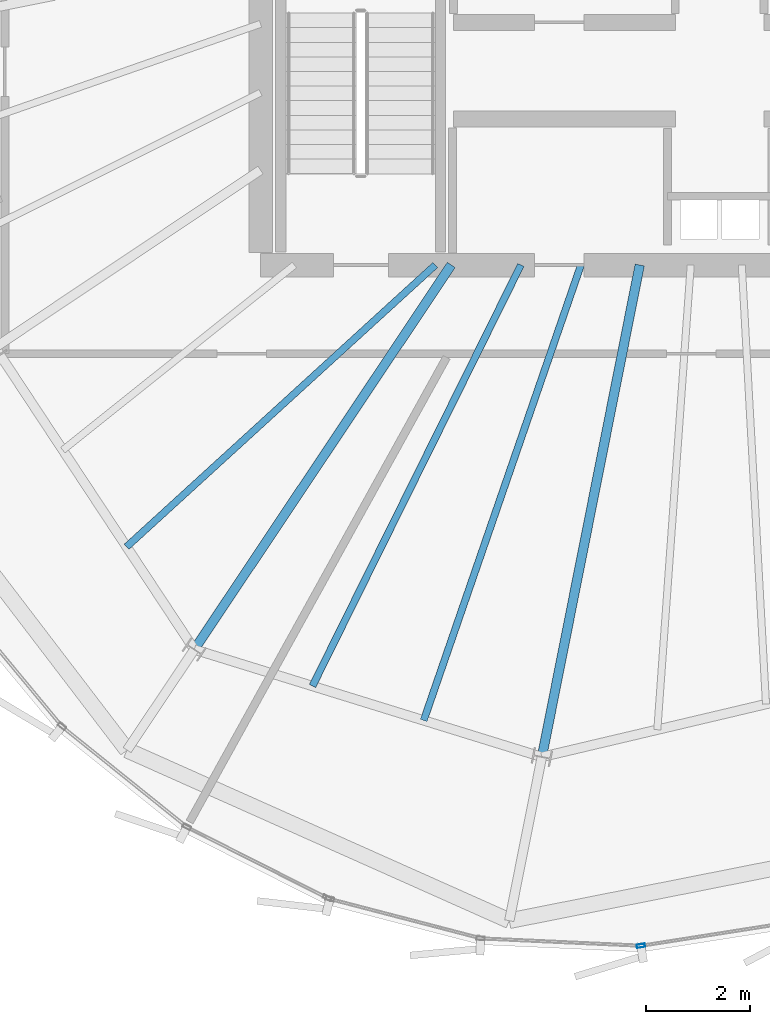
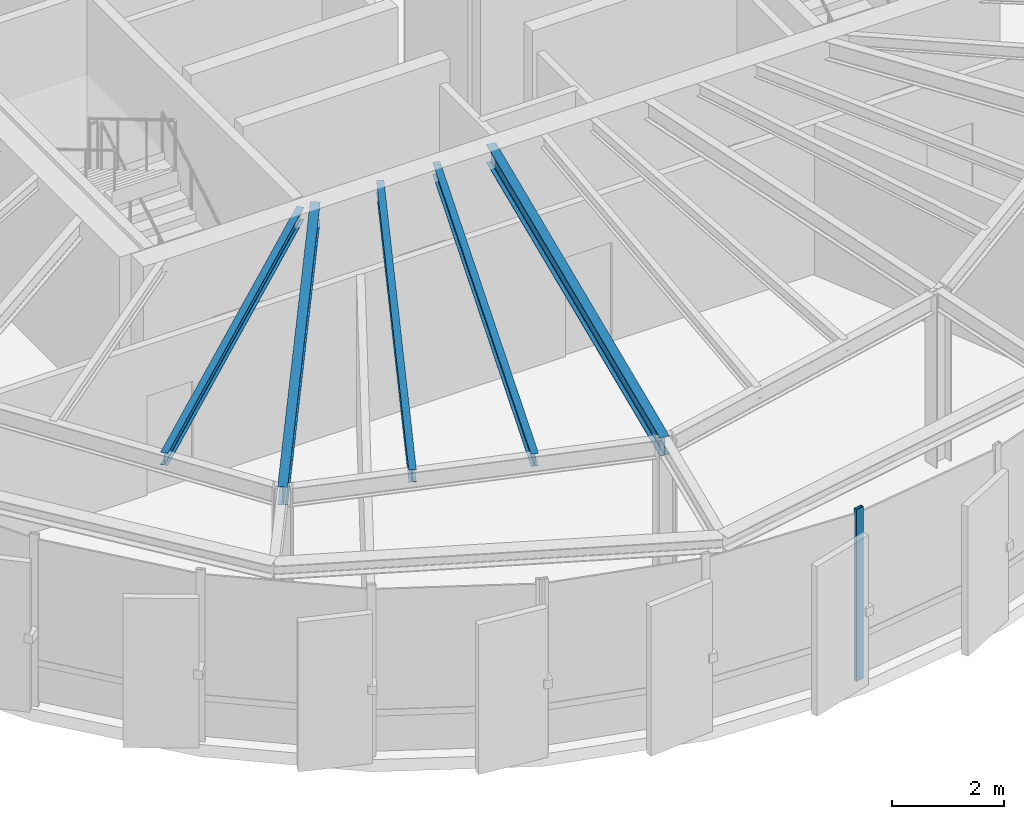
# One storey, part 5 of 27: 5 beams, 1 member, 1 element without a shape of its own.
"""IFC4 building model written with IfcOpenShell, lengths in metres."""

from ifc_helpers import new_model, si_unit, direction, frame, origin, origin_2d, place, context, subcontext, project, spatial, hollow_rectangle, i_section, extrude, source, transform, mapped, material, layer, layer_set, material_profile, profile_set, type_object, element, aggregate, save


model = new_model("IFC4")

# Units and contexts
model_context = context("Model", 3, precision=1e-05, world=origin(), true_north=direction((0.0, 1.0)))
body_context = subcontext(model_context, "Body", "Model", "MODEL_VIEW")
ifc_project = project(units=[si_unit("LENGTHUNIT", "METRE"), si_unit("AREAUNIT", "SQUARE_METRE"), si_unit("VOLUMEUNIT", "CUBIC_METRE"), si_unit("PLANEANGLEUNIT", "RADIAN"), si_unit("MASSUNIT", "GRAM", prefix="KILO"), si_unit("THERMODYNAMICTEMPERATUREUNIT", "KELVIN")], contexts=[model_context])

# Site, building, storey
site_placement = place(None, origin())
site = spatial("IfcSite", under=ifc_project, at=site_placement, CompositionType="ELEMENT")
building_placement = place(site_placement, origin())
building = spatial("IfcBuilding", under=site, at=building_placement, Name="Kethvar Cultural Tower", CompositionType="ELEMENT")
storey_placement = place(building_placement, frame((0.0, 0.0, 312.300048828125)))
storey = spatial("IfcBuildingStorey", under=building, at=storey_placement, Name="L83", CompositionType="ELEMENT", Elevation=312.300048828125)

# Beams
ifc_material_1 = material(Name="Steel S355J2", Category="steel")
ifc_material_profile_1 = material_profile(ifc_material_1, i_section(OverallWidth=0.135009765625, OverallDepth=0.27001953125, WebThickness=0.006591796875, FlangeThickness=0.01025390625, FilletRadius=0.014892578125, at=origin_2d()), Name="Steel S355J2 — IPE270")
ifc_profile_set_1 = profile_set([ifc_material_profile_1], Name="Steel S355J2 — IPE270")
beam_type_1 = type_object("IfcBeamType", Name="BM-J270", PredefinedType="JOIST", material=ifc_profile_set_1)
shared_shape_1 = source(origin(), body_context, "Body", "SweptSolid", [
    extrude(i_section(OverallWidth=0.135009765625, OverallDepth=0.27001953125, WebThickness=0.006591796875, FlangeThickness=0.01025390625, FilletRadius=0.014892578125, at=origin_2d()), origin(), (0.0, 0.0, 1.0), 8.010986328125),
])
beam_1_placement = place(storey_placement, frame((41.35009765625, 20.10009765625, 3.597900390625), z_axis=(-0.738614798856, -0.674127717061, 0.0), x_axis=(0.674127717061, -0.738614798856, 0.0)))
element("IfcBeam", 1, at=beam_1_placement, inside=storey, type_object=beam_type_1, Name="L83 Composite Floor Joist J-10B", PredefinedType="JOIST", context=body_context, shape_type="MappedRepresentation", body=[
    mapped(shared_shape_1, transform((0.0, 0.0, 0.0), scale=1.0)),
])
shared_shape_2 = source(origin(), body_context, "Body", "SweptSolid", [
    extrude(i_section(OverallWidth=0.135009765625, OverallDepth=0.27001953125, WebThickness=0.006591796875, FlangeThickness=0.01025390625, FilletRadius=0.014892578125, at=origin_2d()), origin(), (0.0, 0.0, 1.0), 9.00341796875),
])
beam_2_placement = place(storey_placement, frame((42.989501953125, 20.10009765625, 3.597900390625), z_axis=(-0.443543695319, -0.896252749141, 0.0), x_axis=(0.896252749141, -0.443543695319, 0.0)))
element("IfcBeam", 2, at=beam_2_placement, inside=storey, type_object=beam_type_1, Name="L83 Composite Floor Joist J-11A", PredefinedType="JOIST", context=body_context, shape_type="MappedRepresentation", body=[
    mapped(shared_shape_2, transform((0.0, 0.0, 0.0), scale=1.0)),
])
shared_shape_3 = source(origin(), body_context, "Body", "SweptSolid", [
    extrude(i_section(OverallWidth=0.135009765625, OverallDepth=0.27001953125, WebThickness=0.006591796875, FlangeThickness=0.01025390625, FilletRadius=0.014892578125, at=origin_2d()), origin(), (0.0, 0.0, 1.0), 9.234130859375),
])
beam_3_placement = place(storey_placement, frame((44.1416015625, 20.10009765625, 3.597900390625), z_axis=(-0.326362208058, -0.945244787953, 0.0), x_axis=(0.945244787953, -0.326362208058, 0.0)))
element("IfcBeam", 3, at=beam_3_placement, inside=storey, type_object=beam_type_1, Name="L83 Composite Floor Joist J-11B", PredefinedType="JOIST", context=body_context, shape_type="MappedRepresentation", body=[
    mapped(shared_shape_3, transform((0.0, 0.0, 0.0), scale=1.0)),
])
ifc_material_profile_2 = material_profile(ifc_material_1, i_section(OverallWidth=0.179931640625, OverallDepth=0.39990234375, WebThickness=0.008544921875, FlangeThickness=0.013427734375, FilletRadius=0.02099609375, at=origin_2d()), Name="Steel S355J2 — IPE400")
ifc_profile_set_2 = profile_set([ifc_material_profile_2], Name="Steel S355J2 — IPE400")
beam_type_2 = type_object("IfcBeamType", Name="BM-IPE400", PredefinedType="BEAM", material=ifc_profile_set_2)
shared_shape_4 = source(origin(), body_context, "Body", "SweptSolid", [
    extrude(i_section(OverallWidth=0.179931640625, OverallDepth=0.39990234375, WebThickness=0.008544921875, FlangeThickness=0.013427734375, FilletRadius=0.02099609375, at=origin_2d()), origin(), (0.0, 0.0, 1.0), 8.86279296875),
])
beam_4_placement = place(storey_placement, frame((41.655029296875, 20.10009765625, 3.532958984375), z_axis=(-0.555564443415, -0.831473480764, 0.0), x_axis=(0.831473480764, -0.555564443415, 0.0)))
element("IfcBeam", 4, at=beam_4_placement, inside=storey, type_object=beam_type_2, Name="L83 Primary Radial Beam RB-11", PredefinedType="BEAM", context=body_context, shape_type="MappedRepresentation", body=[
    mapped(shared_shape_4, transform((0.0, 0.0, 0.0), scale=1.0)),
])
shared_shape_5 = source(origin(), body_context, "Body", "SweptSolid", [
    extrude(i_section(OverallWidth=0.179931640625, OverallDepth=0.39990234375, WebThickness=0.008544921875, FlangeThickness=0.013427734375, FilletRadius=0.02099609375, at=origin_2d()), origin(), (0.0, 0.0, 1.0), 9.613525390625),
])
beam_5_placement = place(storey_placement, frame((45.268310546875, 20.10009765625, 3.532958984375), z_axis=(-0.195090428816, -0.980785259159, 0.0), x_axis=(0.980785259159, -0.195090428816, 0.0)))
element("IfcBeam", 5, at=beam_5_placement, inside=storey, type_object=beam_type_2, Name="L83 Primary Radial Beam RB-12", PredefinedType="BEAM", context=body_context, shape_type="MappedRepresentation", body=[
    mapped(shared_shape_5, transform((0.0, 0.0, 0.0), scale=1.0)),
])

# Curtain wall, member
ifc_material_2 = material(Name="Aluminium 6063-T6", Category="aluminium")
ifc_layer = layer(ifc_material_2, 0.179931640625, Name="Aluminium 6063-T6", Category="aluminium")
ifc_layer_set = layer_set([ifc_layer], Name="Aluminium 6063-T6 (180 mm)")
curtain_wall_type = type_object("IfcCurtainWallType", Name="CW-SYS-06-CROWN", PredefinedType="NOTDEFINED", material=ifc_layer_set)
curtain_wall_placement = place(storey_placement, origin())
curtain_wall = element("IfcCurtainWall", 6, at=curtain_wall_placement, inside=storey, type_object=curtain_wall_type, Name="L83 Curtain Wall Run 04", PredefinedType="NOTDEFINED")
ifc_material_profile_3 = material_profile(ifc_material_2, hollow_rectangle(XDim=0.06494140625, YDim=0.159912109375, WallThickness=0.0048828125, at=origin_2d()), Name="Aluminium 6063-T6 — RHS160x65x5")
ifc_profile_set_3 = profile_set([ifc_material_profile_3], Name="Aluminium 6063-T6 — RHS160x65x5")
member_type = type_object("IfcMemberType", Name="CW-SYS-06-CROWN-MUL", PredefinedType="MULLION", material=ifc_profile_set_3)
shared_shape_6 = source(origin(), body_context, "Body", "SweptSolid", [
    extrude(hollow_rectangle(XDim=0.06494140625, YDim=0.159912109375, WallThickness=0.0048828125, at=origin_2d()), origin(), (0.0, 0.0, 1.0), 3.73486328125),
])
member_placement = place(storey_placement, frame((45.290771484375, 7.051513671875, 0.0), z_axis=(0.0, 0.0, 1.0), x_axis=(-0.155262143023, 0.987873305108, 0.0)))
member = element("IfcMember", 7, at=member_placement, type_object=member_type, Name="CW-L83-R04 Mullion 3", PredefinedType="MULLION", context=body_context, shape_type="MappedRepresentation", body=[
    mapped(shared_shape_6, transform((0.0, 0.0, 0.0), scale=1.0)),
])
aggregate(curtain_wall, [member])

save(model, "model.ifc")
